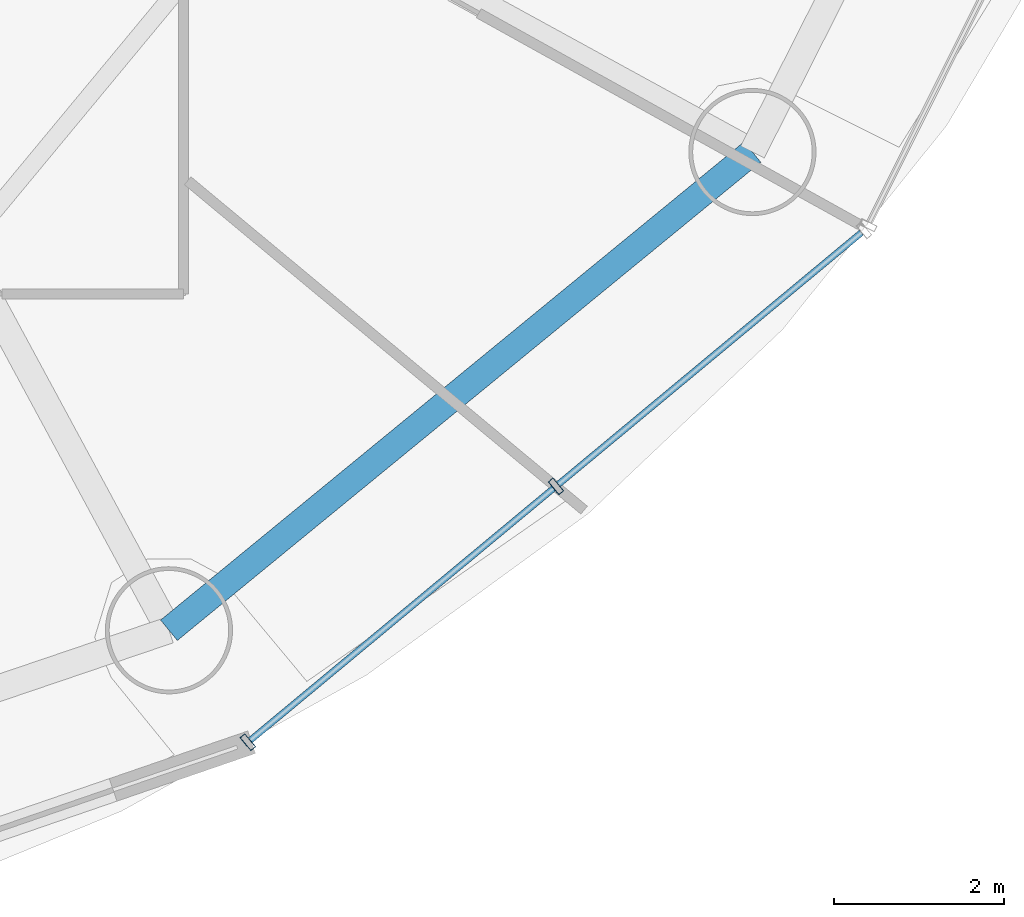
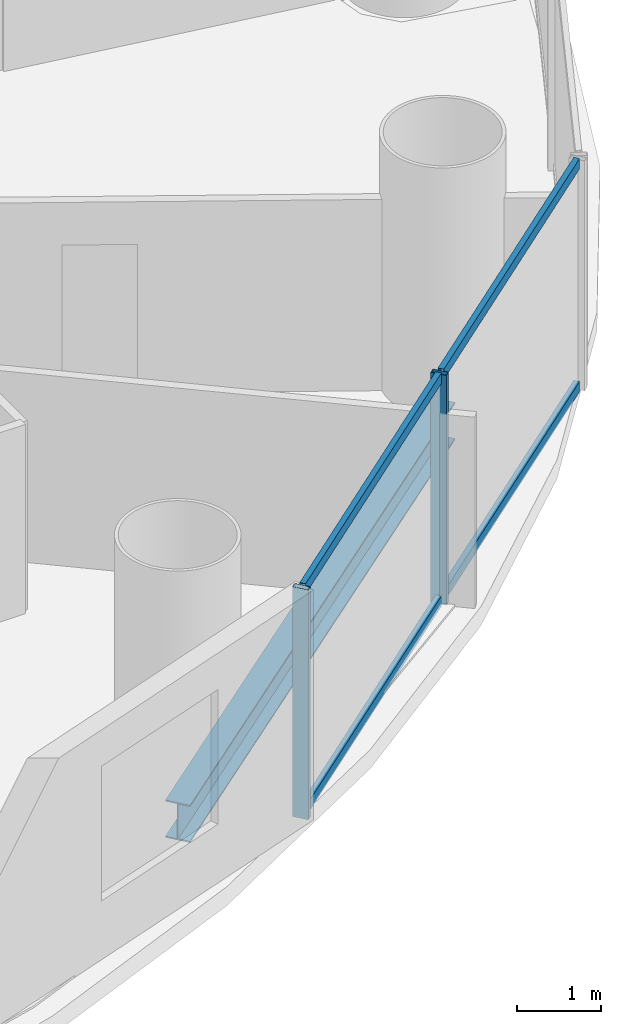
# One storey, part 11 of 29: 6 members, 1 beam, 1 element without a shape of its own.
"""IFC4 building model written with IfcOpenShell, lengths in metres."""

import ifcopenshell
import ifcopenshell.guid

model = None  # the IFC model being written
_history = None  # IfcOwnerHistory: only IFC2X3 demands one
_inside = {}  # id of a spatial element -> (the spatial element, [elements in it])
_under = {}  # id of a project, library or spatial element -> (it, [spatial elements below it])
_declared = {}  # id of a project -> (the project, [libraries it declares])
_typed = {}  # id of a type object -> (the type object, [elements of that type])
_made_of = {}  # id of a material, layer set ... -> (it, [elements and type objects made of it])


def new_model(schema):
    """Start an empty IFC model of exactly this schema.

    Asked for "IFC4X3", IfcOpenShell would pick the latest addendum, in which some entities
    have other attributes; the version numbers below select the first issue.
    IFC2X3 requires an IfcOwnerHistory on every rooted entity: one is made here for all.
    """
    global model, _history
    if schema == "IFC4X3":
        model = ifcopenshell.file(schema_version=(4, 3, 0, 0))
    else:
        model = ifcopenshell.file(schema=schema)
    _inside.clear()
    _under.clear()
    _declared.clear()
    _typed.clear()
    _made_of.clear()
    _history = None
    if model.schema == "IFC2X3":
        org = make("IfcOrganization", Name="unknown")
        user = make(
            "IfcPersonAndOrganization",
            ThePerson=make("IfcPerson", FamilyName="unknown"),
            TheOrganization=org,
        )
        app = make(
            "IfcApplication",
            ApplicationDeveloper=org,
            Version="unknown",
            ApplicationFullName="unknown",
            ApplicationIdentifier="unknown",
        )
        _history = make(
            "IfcOwnerHistory",
            OwningUser=user,
            OwningApplication=app,
            ChangeAction="ADDED",
            CreationDate=0,
        )
    return model


def make(cls, **values):
    """One entity of the class cls with the attributes given. An attribute that is None is left unset."""
    return model.create_entity(
        cls, **{name: value for name, value in values.items() if value is not None}
    )


def rooted(cls, **values):
    """An entity with a GlobalId (a new one), such as an element, a storey or a relation."""
    return make(cls, GlobalId=ifcopenshell.guid.new(), OwnerHistory=_history, **values)


def si_unit(unit_type, name, prefix=None):
    """IfcSIUnit, for example si_unit("LENGTHUNIT", "METRE", prefix="MILLI")."""
    return make("IfcSIUnit", UnitType=unit_type, Prefix=prefix, Name=name)


def assignment(units):
    """IfcUnitAssignment: the units of a project."""
    return None if units is None else make("IfcUnitAssignment", Units=units)


def point(xyz):
    """IfcCartesianPoint."""
    return None if xyz is None else make("IfcCartesianPoint", Coordinates=xyz)


def direction(xyz):
    """IfcDirection."""
    return None if xyz is None else make("IfcDirection", DirectionRatios=xyz)


def frame(location, z_axis=None, x_axis=None):
    """IfcAxis2Placement3D, a coordinate frame: its origin and axes. An axis left out is left unset."""
    return make(
        "IfcAxis2Placement3D",
        Location=point(location),
        Axis=direction(z_axis),
        RefDirection=direction(x_axis),
    )


def frame_2d(location, x_axis=None):
    """IfcAxis2Placement2D, a coordinate frame in the plane: its origin and x axis."""
    return make(
        "IfcAxis2Placement2D", Location=point(location), RefDirection=direction(x_axis)
    )


def origin():
    """The frame at (0, 0, 0) with its axes left unset."""
    return frame((0.0, 0.0, 0.0))


def origin_2d():
    """The frame at (0, 0) in the plane with its x axis left unset."""
    return frame_2d((0.0, 0.0))


def place(relative_to, where):
    """IfcLocalPlacement: puts the frame where relative to a parent placement (None: the world)."""
    return make(
        "IfcLocalPlacement", PlacementRelTo=relative_to, RelativePlacement=where
    )


def context(
    kind, dimensions, precision=None, world=None, true_north=None, identifier=None
):
    """IfcGeometricRepresentationContext, for example the 3D "Model" context."""
    return make(
        "IfcGeometricRepresentationContext",
        ContextIdentifier=identifier,
        ContextType=kind,
        CoordinateSpaceDimension=dimensions,
        Precision=precision,
        WorldCoordinateSystem=world,
        TrueNorth=true_north,
    )


def subcontext(parent, identifier, kind, view, scale=None):
    """IfcGeometricRepresentationSubContext, for example "Body" below "Model"."""
    return make(
        "IfcGeometricRepresentationSubContext",
        ContextIdentifier=identifier,
        ContextType=kind,
        ParentContext=parent,
        TargetScale=scale,
        TargetView=view,
    )


def project(units=None, contexts=None):
    """IfcProject with its units and contexts."""
    return rooted(
        "IfcProject",
        Name="project",
        RepresentationContexts=contexts,
        UnitsInContext=assignment(units),
    )


def spatial(cls, under=None, at=None, **own):
    """A site, building, storey or space (cls), placed at a placement, below another one or the project."""
    s = rooted(cls, ObjectPlacement=at, **own)
    if under is not None:
        _under.setdefault(under.id(), (under, []))[1].append(s)
    return s


def profile(cls, at=None, kind="AREA", **sizes):
    """A parametric profile (cls). Its sizes go by their IFC names, for example OverallWidth=200.0."""
    return make(cls, ProfileType=kind, Position=at, **sizes)


def hollow_rectangle(**sizes):
    """IfcRectangleHollowProfileDef."""
    return profile("IfcRectangleHollowProfileDef", **sizes)


def i_section(**sizes):
    """IfcIShapeProfileDef."""
    return profile("IfcIShapeProfileDef", **sizes)


def extrude(swept, where, along, depth):
    """IfcExtrudedAreaSolid: the profile swept, set in the frame where, extruded along a direction by depth."""
    return make(
        "IfcExtrudedAreaSolid",
        SweptArea=swept,
        Position=where,
        ExtrudedDirection=direction(along),
        Depth=depth,
    )


def shape(context_of_items, identifier, shape_type, items):
    """IfcShapeRepresentation: the items that make up one representation, for example the "Body"."""
    return make(
        "IfcShapeRepresentation",
        ContextOfItems=context_of_items,
        RepresentationIdentifier=identifier,
        RepresentationType=shape_type,
        Items=items,
    )


def source(mapping_origin, context_of_items, identifier, shape_type, items):
    """IfcRepresentationMap: a shape defined once, which mapped items show again and again."""
    return make(
        "IfcRepresentationMap",
        MappingOrigin=mapping_origin,
        MappedRepresentation=shape(context_of_items, identifier, shape_type, items),
    )


def transform(
    local_origin,
    x_axis=None,
    y_axis=None,
    z_axis=None,
    scale=None,
    scale2=None,
    scale3=None,
    uniform=True,
):
    """IfcCartesianTransformationOperator3D, or its non-uniform kind. x_axis, y_axis, z_axis: its Axis1, 2, 3."""
    if uniform:
        return make(
            "IfcCartesianTransformationOperator3D",
            Axis1=direction(x_axis),
            Axis2=direction(y_axis),
            LocalOrigin=point(local_origin),
            Scale=scale,
            Axis3=direction(z_axis),
        )
    return make(
        "IfcCartesianTransformationOperator3DnonUniform",
        Axis1=direction(x_axis),
        Axis2=direction(y_axis),
        LocalOrigin=point(local_origin),
        Scale=scale,
        Axis3=direction(z_axis),
        Scale2=scale2,
        Scale3=scale3,
    )


def mapped(mapping_source, mapping_target):
    """IfcMappedItem: shows the shape of a source again, moved by a transform."""
    return make(
        "IfcMappedItem", MappingSource=mapping_source, MappingTarget=mapping_target
    )


def material(Name=None, Category=None):
    """IfcMaterial."""
    return make("IfcMaterial", Name=Name, Category=Category)


def material_profile(
    of_material, cross_section, Name=None, Category=None, Priority=None
):
    """IfcMaterialProfile: a cross section and its material."""
    return make(
        "IfcMaterialProfile",
        Name=Name,
        Material=of_material,
        Profile=cross_section,
        Priority=Priority,
        Category=Category,
    )


def profile_set(profiles, Name=None, composite=None):
    """IfcMaterialProfileSet."""
    return make(
        "IfcMaterialProfileSet",
        Name=Name,
        MaterialProfiles=profiles,
        CompositeProfile=composite,
    )


def made_of(thing, what):
    """Note that an element or type object is made of a material, layer set ...; save() writes the relation."""
    if what is not None:
        _made_of.setdefault(what.id(), (what, []))[1].append(thing)
    return thing


def type_object(cls, material=None, **own):
    """A type object (cls), such as IfcWallType, which elements share."""
    return made_of(rooted(cls, **own), material)


def element(
    cls,
    number,
    at=None,
    inside=None,
    cuts=None,
    type_object=None,
    material=None,
    context=None,
    identifier="Body",
    shape_type=None,
    held_by="IfcProductDefinitionShape",
    body=None,
    shapes=None,
    **own,
):
    """One element of the class cls, such as IfcWall. Its Tag is "e" and its number.

    at: its placement. inside: the storey or other place that contains it. cuts: it is an
    opening in that element (IfcRelVoidsElement). A single representation is given by context,
    identifier, shape_type and body (its items); several are given by shapes. held_by: the class
    of the entity that holds the representations. save() writes the other relations.
    """
    e = rooted(cls, Tag="e%d" % number, ObjectPlacement=at, **own)
    if body is not None:
        shapes = [shape(context, identifier, shape_type, body)]
    if shapes is not None:
        e.Representation = make(held_by, Representations=shapes)
    if inside is not None:
        _inside.setdefault(inside.id(), (inside, []))[1].append(e)
    if cuts is not None:
        rooted(
            "IfcRelVoidsElement", RelatingBuildingElement=cuts, RelatedOpeningElement=e
        )
    if type_object is not None:
        _typed.setdefault(type_object.id(), (type_object, []))[1].append(e)
    return made_of(e, material)


def aggregate(whole, parts):
    """IfcRelAggregates: a whole, such as a stair, and the parts it consists of."""
    return rooted("IfcRelAggregates", RelatingObject=whole, RelatedObjects=parts)


def save(model, path):
    """Write the relations noted so far, then the file.

    IfcRelAggregates (storeys below a building ...), IfcRelContainedInSpatialStructure (elements
    in a storey), IfcRelDefinesByType, IfcRelAssociatesMaterial and IfcRelDeclares: one each for
    every whole, place, type object, material and project.
    """
    for whole, parts in _under.values():
        aggregate(whole, parts)
    for where, things in _inside.values():
        rooted(
            "IfcRelContainedInSpatialStructure",
            RelatedElements=things,
            RelatingStructure=where,
        )
    for kind, things in _typed.values():
        rooted("IfcRelDefinesByType", RelatedObjects=things, RelatingType=kind)
    for what, things in _made_of.values():
        rooted("IfcRelAssociatesMaterial", RelatedObjects=things, RelatingMaterial=what)
    for by, libraries in _declared.values():
        rooted("IfcRelDeclares", RelatingContext=by, RelatedDefinitions=libraries)
    model.write(path)


model = new_model("IFC4")

# Units and contexts
model_context = context("Model", 3, precision=1e-05, world=origin(), true_north=direction((-0.2419218956, 0.970295726276)))
body_context = subcontext(model_context, "Body", "Model", "MODEL_VIEW")
ifc_project = project(units=[si_unit("LENGTHUNIT", "METRE"), si_unit("AREAUNIT", "SQUARE_METRE"), si_unit("VOLUMEUNIT", "CUBIC_METRE"), si_unit("PLANEANGLEUNIT", "RADIAN"), si_unit("MASSUNIT", "GRAM", prefix="KILO")], contexts=[model_context])

# Site, building, storey
site_placement = place(None, origin())
site = spatial("IfcSite", under=ifc_project, at=site_placement, CompositionType="ELEMENT")
building_placement = place(site_placement, origin())
building = spatial("IfcBuilding", under=site, at=building_placement, Name="Cobrevalo Terracotta Tower", CompositionType="ELEMENT")
storey_placement = place(building_placement, frame((0.0, 0.0, 83.39990234375)))
storey = spatial("IfcBuildingStorey", under=building, at=storey_placement, Name="L21", CompositionType="ELEMENT", Elevation=83.39990234375)

# Beam
ifc_material_1 = material(Name="Steel S355", Category="steel")
ifc_material_profile_1 = material_profile(ifc_material_1, i_section(OverallWidth=0.31201171875, OverallDepth=0.54296875, WebThickness=0.0126953125, FlangeThickness=0.020263671875, at=origin_2d()), Name="W 530x150")
ifc_profile_set_1 = profile_set([ifc_material_profile_1], Name="Steel S355")
beam_type = type_object("IfcBeamType", Name="Structural Spandrel W 530x150 (Steel S355)", PredefinedType="SPANDREL", material=ifc_profile_set_1)
beam_placement = place(storey_placement, frame((51.861572265625, 9.79638671875, -0.54638671875), z_axis=(0.773400923541, 0.633917196064, 0.0), x_axis=(-0.633917196064, 0.773400923541, 0.0)))
element("IfcBeam", 1, at=beam_placement, inside=storey, type_object=beam_type, Name="L21 perimeter ring spandrel 14", PredefinedType="SPANDREL", context=body_context, shape_type="SweptSolid", body=[
    extrude(i_section(OverallWidth=0.31201171875, OverallDepth=0.54296875, WebThickness=0.0126953125, FlangeThickness=0.020263671875, at=origin_2d()), origin(), (0.0, 0.0, 1.0), 8.900390625),
])

# Curtain wall, members
ifc_material_2 = material(Name="Anodized aluminium", Category="aluminium")
curtain_wall_type = type_object("IfcCurtainWallType", Name="Lower-tower unitised acoustic low-E curtain wall CW-U1", PredefinedType="NOTDEFINED", material=ifc_material_2)
curtain_wall_placement = place(storey_placement, origin())
curtain_wall = element("IfcCurtainWall", 2, at=curtain_wall_placement, inside=storey, type_object=curtain_wall_type, Name="L21 curtain wall CW-L21-S14", PredefinedType="NOTDEFINED")
ifc_material_profile_2 = material_profile(ifc_material_2, hollow_rectangle(XDim=0.074951171875, YDim=0.14990234375, WallThickness=0.00439453125, at=origin_2d()), Name="CWT 75x150")
ifc_profile_set_2 = profile_set([ifc_material_profile_2], Name="Anodized aluminium")
member_type_1 = type_object("IfcMemberType", Name="Tower unitised aluminium transom 75x150", PredefinedType="USERDEFINED", material=ifc_profile_set_2)
shared_shape_1 = source(origin(), body_context, "Body", "SweptSolid", [
    extrude(hollow_rectangle(XDim=0.074951171875, YDim=0.14990234375, WallThickness=0.00439453125, at=origin_2d()), origin(), (0.0, 0.0, 1.0), 4.64501953125),
])
member_1_placement = place(storey_placement, frame((52.822998046875, 8.50048828125, 0.050048828125), z_axis=(0.769224156193, 0.638979027457, 0.0), x_axis=(-0.638979027457, 0.769224156193, 0.0)))
member_1 = element("IfcMember", 3, at=member_1_placement, type_object=member_type_1, Name="CW-L21-S14 transom B01-T1", ObjectType="TRANSOM", PredefinedType="USERDEFINED", context=body_context, shape_type="MappedRepresentation", body=[
    mapped(shared_shape_1, transform((0.0, 0.0, 0.0), scale=1.0)),
])
member_2_placement = place(storey_placement, frame((52.822998046875, 8.50048828125, 3.275146484375), z_axis=(0.769224156193, 0.638979027457, 0.0), x_axis=(-0.638979027457, 0.769224156193, 0.0)))
member_2 = element("IfcMember", 4, at=member_2_placement, type_object=member_type_1, Name="CW-L21-S14 transom B01-T2", ObjectType="TRANSOM", PredefinedType="USERDEFINED", context=body_context, shape_type="MappedRepresentation", body=[
    mapped(shared_shape_1, transform((0.0, 0.0, 0.0), scale=1.0)),
])
member_3_placement = place(storey_placement, frame((56.45751953125, 11.51953125, 0.050048828125), z_axis=(0.769224156193, 0.638979027457, 0.0), x_axis=(-0.638979027457, 0.769224156193, 0.0)))
member_3 = element("IfcMember", 5, at=member_3_placement, type_object=member_type_1, Name="CW-L21-S14 transom B02-T1", ObjectType="TRANSOM", PredefinedType="USERDEFINED", context=body_context, shape_type="MappedRepresentation", body=[
    mapped(shared_shape_1, transform((0.0, 0.0, 0.0), scale=1.0)),
])
member_4_placement = place(storey_placement, frame((56.45751953125, 11.51953125, 3.275146484375), z_axis=(0.769224156193, 0.638979027457, 0.0), x_axis=(-0.638979027457, 0.769224156193, 0.0)))
member_4 = element("IfcMember", 6, at=member_4_placement, type_object=member_type_1, Name="CW-L21-S14 transom B02-T2", ObjectType="TRANSOM", PredefinedType="USERDEFINED", context=body_context, shape_type="MappedRepresentation", body=[
    mapped(shared_shape_1, transform((0.0, 0.0, 0.0), scale=1.0)),
])
ifc_material_profile_3 = material_profile(ifc_material_2, hollow_rectangle(XDim=0.074951171875, YDim=0.199951171875, WallThickness=0.0048828125, at=origin_2d()), Name="CWM 75x200")
ifc_profile_set_3 = profile_set([ifc_material_profile_3], Name="Anodized aluminium")
member_type_2 = type_object("IfcMemberType", Name="Lower/mid tower unitised mullion 75x200", PredefinedType="MULLION", material=ifc_profile_set_3)
shared_shape_2 = source(origin(), body_context, "Body", "SweptSolid", [
    extrude(hollow_rectangle(XDim=0.074951171875, YDim=0.199951171875, WallThickness=0.0048828125, at=origin_2d()), origin(), (0.0, 0.0, 1.0), 3.3251953125),
])
member_5_placement = place(storey_placement, frame((52.792236328125, 8.47509765625, 0.0), z_axis=(0.0, 0.0, 1.0), x_axis=(0.769243451658, 0.638955798222, 0.0)))
member_5 = element("IfcMember", 7, at=member_5_placement, type_object=member_type_2, Name="CW-L21-S14 vertical mullion 01", PredefinedType="MULLION", context=body_context, shape_type="MappedRepresentation", body=[
    mapped(shared_shape_2, transform((0.0, 0.0, 0.0), scale=1.0)),
])
member_6_placement = place(storey_placement, frame((56.4267578125, 11.493896484375, 0.0), z_axis=(0.0, 0.0, 1.0), x_axis=(0.769243451658, 0.638955798222, 0.0)))
member_6 = element("IfcMember", 8, at=member_6_placement, type_object=member_type_2, Name="CW-L21-S14 vertical mullion 02", PredefinedType="MULLION", context=body_context, shape_type="MappedRepresentation", body=[
    mapped(shared_shape_2, transform((0.0, 0.0, 0.0), scale=1.0)),
])
aggregate(curtain_wall, [member_5, member_6, member_1, member_2, member_3, member_4])

save(model, "model.ifc")
